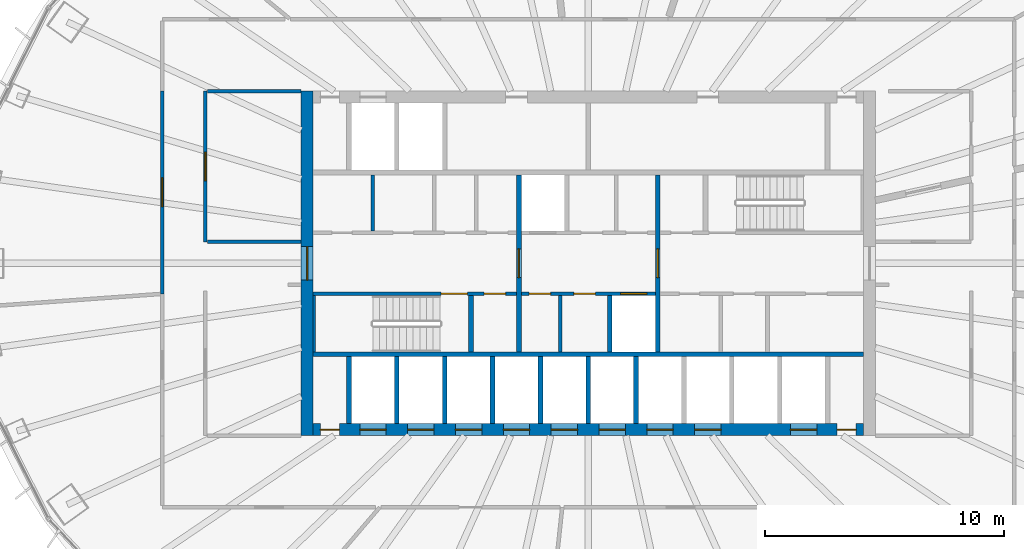
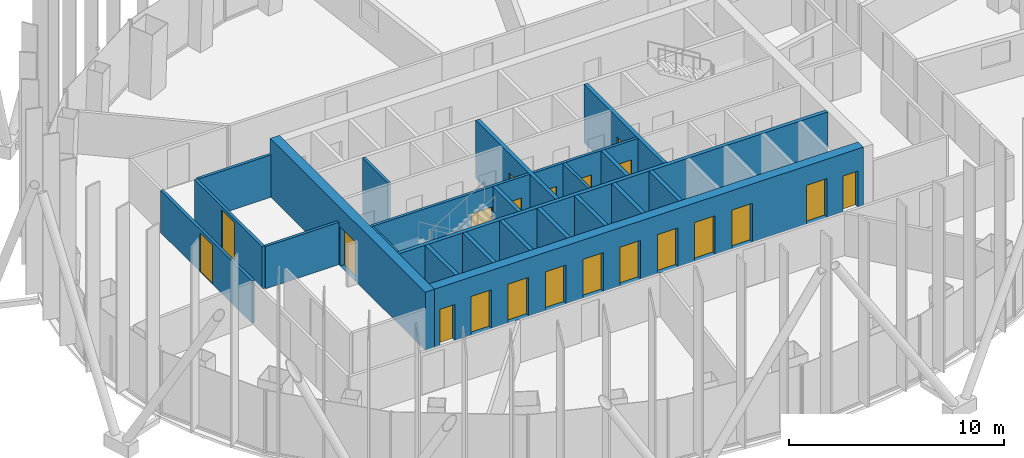
# One storey, part 8 of 19: 23 walls, 21 doors, 21 openings.
"""IFC4 building model written with IfcOpenShell, lengths in metres."""

from ifc_helpers import new_model, si_unit, direction, frame, frame_2d, origin, place, context, subcontext, project, spatial, rectangle, extrude, material, layer, layer_set, type_object, element, fill, save


model = new_model("IFC4")

# Units and contexts
model_context = context("Model", 3, precision=1e-05, world=origin(), true_north=direction((0.0, 1.0)))
body_context = subcontext(model_context, "Body", "Model", "MODEL_VIEW")
ifc_project = project(units=[si_unit("LENGTHUNIT", "METRE"), si_unit("AREAUNIT", "SQUARE_METRE"), si_unit("VOLUMEUNIT", "CUBIC_METRE"), si_unit("PLANEANGLEUNIT", "RADIAN"), si_unit("MASSUNIT", "GRAM", prefix="KILO")], contexts=[model_context])

# Site, building, storey
site_placement = place(None, origin())
site = spatial("IfcSite", under=ifc_project, at=site_placement, CompositionType="ELEMENT")
building_placement = place(site_placement, origin())
building = spatial("IfcBuilding", under=site, at=building_placement, Name="Siaravel Broadcast Tower", CompositionType="ELEMENT")
storey_placement = place(building_placement, frame((0.0, 0.0, 97.10009765625)))
storey = spatial("IfcBuildingStorey", under=building, at=storey_placement, Name="L22", CompositionType="ELEMENT", Elevation=97.10009765625)

# Walls
ifc_material_1 = material(Name="Concrete blockwork", Category="masonry")
ifc_layer_1 = layer(ifc_material_1, 0.14990234375)
ifc_layer_set_1 = layer_set([ifc_layer_1], Name="Concrete blockwork")
wall_type_1 = type_object("IfcWallType", Name="Core partition 150", PredefinedType="PARTITIONING", material=ifc_layer_set_1)
for number, where, z_axis, x_axis, name in (
    (1, (-9.010009765625, 1.35009765625, 0.0), (0.0, 0.0, 1.0), (0.0, 1.0, 0.0), "L22 core partition PNW0"),
    (2, (-1.172607421875, -3.699951171875, 0.0), (0.0, 0.0, 1.0), (0.0, 1.0, 0.0), "L22 core partition PSM0"),
):
    element("IfcWall", number, at=place(storey_placement, frame(where, z_axis=z_axis, x_axis=x_axis)), inside=storey, type_object=wall_type_1, Name=name, PredefinedType="PARTITIONING", context=body_context, shape_type="SweptSolid", body=[
        extrude(rectangle(XDim=2.349853515625, YDim=0.14990234375, at=frame_2d((1.1748046875, 0.0))), origin(), (0.0, 0.0, 1.0), 3.2998046875),
    ])

# Wall, opening, door
ifc_material_2 = material(Name="Concrete C60/75", Category="concrete")
ifc_layer_2 = layer(ifc_material_2, 0.5)
ifc_layer_set_2 = layer_set([ifc_layer_2], Name="Concrete C60/75")
wall_type_2 = type_object("IfcWallType", Name="Core wall 500", PredefinedType="SHEAR", material=ifc_layer_set_2)
wall_1_placement = place(storey_placement, frame((-11.75, -7.199951171875, 0.0), z_axis=(0.0, 0.0, 1.0), x_axis=(0.0, 1.0, 0.0)))
wall_1 = element("IfcWall", 3, at=wall_1_placement, inside=storey, type_object=wall_type_2, Name="L22 core wall OW", PredefinedType="SHEAR", context=body_context, shape_type="SweptSolid", body=[
    extrude(rectangle(XDim=14.39990234375, YDim=0.5, at=frame_2d((7.199951171875, 0.0))), origin(), (0.0, 0.0, 1.0), 3.2998046875),
])
opening_1_placement = place(wall_1_placement, frame((6.5, 0.0, 0.0)))
opening_1 = element("IfcOpeningElement", 4, at=opening_1_placement, cuts=wall_1, Name="Opening L22-DX-W", PredefinedType="OPENING", context=body_context, shape_type="SweptSolid", body=[
    extrude(rectangle(XDim=1.39990234375, YDim=2.199951171875, at=frame_2d((0.699951171875, 1.10009765625))), frame((0.0, 0.260009765625, 0.0), z_axis=(0.0, -1.0, 0.0), x_axis=(1.0, 0.0, 0.0)), (0.0, 0.0, 1.0), 0.52001953125),
])
ifc_material_3 = material(Name="Steel", Category="steel")
door_type_1 = type_object("IfcDoorType", Name="Core exit door 1400", OperationType="DOUBLE_DOOR_SINGLE_SWING", PredefinedType="DOOR", material=ifc_material_3)
door_1_placement = place(opening_1_placement, origin())
door_1 = element("IfcDoor", 5, at=door_1_placement, inside=storey, type_object=door_type_1, Name="L22 door DX-W", OperationType="DOUBLE_DOOR_SINGLE_SWING", OverallHeight=2.199951171875, OverallWidth=1.39990234375, PredefinedType="DOOR", context=body_context, shape_type="SweptSolid", body=[
    extrude(rectangle(XDim=1.39990234375, YDim=2.199951171875, at=frame_2d((0.699951171875, 1.10009765625))), frame((0.0, 0.02490234375, 0.0), z_axis=(0.0, -1.0, 0.0), x_axis=(1.0, 0.0, 0.0)), (0.0, 0.0, 1.0), 0.050048828125),
])
fill(opening_1, door_1)

# Wall, openings, doors
wall_2_placement = place(storey_placement, frame((-11.5, -6.949951171875, 0.0), z_axis=(0.0, 0.0, 1.0), x_axis=(1.0, 0.0, 0.0)))
wall_2 = element("IfcWall", 6, at=wall_2_placement, inside=storey, type_object=wall_type_2, Name="L22 core wall OS", PredefinedType="SHEAR", context=body_context, shape_type="SweptSolid", body=[
    extrude(rectangle(XDim=23.0, YDim=0.5, at=frame_2d((11.5, 0.0))), origin(), (0.0, 0.0, 1.0), 3.2998046875),
])
opening_2_placement = place(wall_2_placement, frame((1.949951171875, 0.0, 0.0)))
opening_2 = element("IfcOpeningElement", 7, at=opening_2_placement, cuts=wall_2, Name="Opening LD-LP1-L22", PredefinedType="OPENING", context=body_context, shape_type="SweptSolid", body=[
    extrude(rectangle(XDim=1.10009765625, YDim=2.199951171875, at=frame_2d((0.550048828125, 1.10009765625))), frame((0.0, 0.260009765625, 0.0), z_axis=(0.0, -1.0, 0.0), x_axis=(1.0, 0.0, 0.0)), (0.0, 0.0, 1.0), 0.52001953125),
])
opening_3_placement = place(wall_2_placement, frame((3.949951171875, 0.0, 0.0)))
opening_3 = element("IfcOpeningElement", 8, at=opening_3_placement, cuts=wall_2, Name="Opening LD-LP2-L22", PredefinedType="OPENING", context=body_context, shape_type="SweptSolid", body=[
    extrude(rectangle(XDim=1.10009765625, YDim=2.199951171875, at=frame_2d((0.550048828125, 1.10009765625))), frame((0.0, 0.260009765625, 0.0), z_axis=(0.0, -1.0, 0.0), x_axis=(1.0, 0.0, 0.0)), (0.0, 0.0, 1.0), 0.52001953125),
])
opening_4_placement = place(wall_2_placement, frame((5.949951171875, 0.0, 0.0)))
opening_4 = element("IfcOpeningElement", 9, at=opening_4_placement, cuts=wall_2, Name="Opening LD-LP3-L22", PredefinedType="OPENING", context=body_context, shape_type="SweptSolid", body=[
    extrude(rectangle(XDim=1.10009765625, YDim=2.199951171875, at=frame_2d((0.550048828125, 1.10009765625))), frame((0.0, 0.260009765625, 0.0), z_axis=(0.0, -1.0, 0.0), x_axis=(1.0, 0.0, 0.0)), (0.0, 0.0, 1.0), 0.52001953125),
])
opening_5_placement = place(wall_2_placement, frame((7.949951171875, 0.0, 0.0)))
opening_5 = element("IfcOpeningElement", 10, at=opening_5_placement, cuts=wall_2, Name="Opening LD-LP4-L22", PredefinedType="OPENING", context=body_context, shape_type="SweptSolid", body=[
    extrude(rectangle(XDim=1.10009765625, YDim=2.199951171875, at=frame_2d((0.550048828125, 1.10009765625))), frame((0.0, 0.260009765625, 0.0), z_axis=(0.0, -1.0, 0.0), x_axis=(1.0, 0.0, 0.0)), (0.0, 0.0, 1.0), 0.52001953125),
])
opening_6_placement = place(wall_2_placement, frame((9.949951171875, 0.0, 0.0)))
opening_6 = element("IfcOpeningElement", 11, at=opening_6_placement, cuts=wall_2, Name="Opening LD-LP5-L22", PredefinedType="OPENING", context=body_context, shape_type="SweptSolid", body=[
    extrude(rectangle(XDim=1.10009765625, YDim=2.199951171875, at=frame_2d((0.550048828125, 1.10009765625))), frame((0.0, 0.260009765625, 0.0), z_axis=(0.0, -1.0, 0.0), x_axis=(1.0, 0.0, 0.0)), (0.0, 0.0, 1.0), 0.52001953125),
])
opening_7_placement = place(wall_2_placement, frame((11.949951171875, 0.0, 0.0)))
opening_7 = element("IfcOpeningElement", 12, at=opening_7_placement, cuts=wall_2, Name="Opening LD-LP6-L22", PredefinedType="OPENING", context=body_context, shape_type="SweptSolid", body=[
    extrude(rectangle(XDim=1.10009765625, YDim=2.199951171875, at=frame_2d((0.550048828125, 1.10009765625))), frame((0.0, 0.260009765625, 0.0), z_axis=(0.0, -1.0, 0.0), x_axis=(1.0, 0.0, 0.0)), (0.0, 0.0, 1.0), 0.52001953125),
])
opening_8_placement = place(wall_2_placement, frame((13.949951171875, 0.0, 0.0)))
opening_8 = element("IfcOpeningElement", 13, at=opening_8_placement, cuts=wall_2, Name="Opening LD-LP7-L22", PredefinedType="OPENING", context=body_context, shape_type="SweptSolid", body=[
    extrude(rectangle(XDim=1.10009765625, YDim=2.199951171875, at=frame_2d((0.550048828125, 1.10009765625))), frame((0.0, 0.260009765625, 0.0), z_axis=(0.0, -1.0, 0.0), x_axis=(1.0, 0.0, 0.0)), (0.0, 0.0, 1.0), 0.52001953125),
])
opening_9_placement = place(wall_2_placement, frame((15.949951171875, 0.0, 0.0)))
opening_9 = element("IfcOpeningElement", 14, at=opening_9_placement, cuts=wall_2, Name="Opening LD-LP8-L22", PredefinedType="OPENING", context=body_context, shape_type="SweptSolid", body=[
    extrude(rectangle(XDim=1.10009765625, YDim=2.199951171875, at=frame_2d((0.550048828125, 1.10009765625))), frame((0.0, 0.260009765625, 0.0), z_axis=(0.0, -1.0, 0.0), x_axis=(1.0, 0.0, 0.0)), (0.0, 0.0, 1.0), 0.52001953125),
])
opening_10_placement = place(wall_2_placement, frame((19.949951171875, 0.0, 0.0)))
opening_10 = element("IfcOpeningElement", 15, at=opening_10_placement, cuts=wall_2, Name="Opening LD-SV1-L22", PredefinedType="OPENING", context=body_context, shape_type="SweptSolid", body=[
    extrude(rectangle(XDim=1.10009765625, YDim=2.199951171875, at=frame_2d((0.550048828125, 1.10009765625))), frame((0.0, 0.260009765625, 0.0), z_axis=(0.0, -1.0, 0.0), x_axis=(1.0, 0.0, 0.0)), (0.0, 0.0, 1.0), 0.52001953125),
])
opening_11_placement = place(wall_2_placement, frame((0.300048828125, 0.0, 0.0)))
opening_11 = element("IfcOpeningElement", 16, at=opening_11_placement, cuts=wall_2, Name="Opening L22-DRSW", PredefinedType="OPENING", context=body_context, shape_type="SweptSolid", body=[
    extrude(rectangle(XDim=0.800048828125, YDim=2.050048828125, at=frame_2d((0.39990234375, 1.02490234375))), frame((0.0, 0.260009765625, 0.0), z_axis=(0.0, -1.0, 0.0), x_axis=(1.0, 0.0, 0.0)), (0.0, 0.0, 1.0), 0.52001953125),
])
opening_12_placement = place(wall_2_placement, frame((21.89990234375, 0.0, 0.0)))
opening_12 = element("IfcOpeningElement", 17, at=opening_12_placement, cuts=wall_2, Name="Opening L22-DRSE", PredefinedType="OPENING", context=body_context, shape_type="SweptSolid", body=[
    extrude(rectangle(XDim=0.800048828125, YDim=2.050048828125, at=frame_2d((0.39990234375, 1.02490234375))), frame((0.0, 0.260009765625, 0.0), z_axis=(0.0, -1.0, 0.0), x_axis=(1.0, 0.0, 0.0)), (0.0, 0.0, 1.0), 0.52001953125),
])
ifc_material_4 = material(Name="Stainless steel 316L", Category="steel")
door_type_2 = type_object("IfcDoorType", Name="Lift landing door 1100", OperationType="DOUBLE_DOOR_SLIDING", PredefinedType="DOOR", material=ifc_material_4)
door_2_placement = place(opening_2_placement, origin())
door_2 = element("IfcDoor", 18, at=door_2_placement, inside=storey, type_object=door_type_2, Name="Landing door LP1 L22", OperationType="DOUBLE_DOOR_SLIDING", OverallHeight=2.199951171875, OverallWidth=1.10009765625, PredefinedType="DOOR", context=body_context, shape_type="SweptSolid", body=[
    extrude(rectangle(XDim=1.10009765625, YDim=2.199951171875, at=frame_2d((0.550048828125, 1.10009765625))), frame((0.0, 0.02490234375, 0.0), z_axis=(0.0, -1.0, 0.0), x_axis=(1.0, 0.0, 0.0)), (0.0, 0.0, 1.0), 0.050048828125),
])
fill(opening_2, door_2)
door_3_placement = place(opening_3_placement, origin())
door_3 = element("IfcDoor", 19, at=door_3_placement, inside=storey, type_object=door_type_2, Name="Landing door LP2 L22", OperationType="DOUBLE_DOOR_SLIDING", OverallHeight=2.199951171875, OverallWidth=1.10009765625, PredefinedType="DOOR", context=body_context, shape_type="SweptSolid", body=[
    extrude(rectangle(XDim=1.10009765625, YDim=2.199951171875, at=frame_2d((0.550048828125, 1.10009765625))), frame((0.0, 0.02490234375, 0.0), z_axis=(0.0, -1.0, 0.0), x_axis=(1.0, 0.0, 0.0)), (0.0, 0.0, 1.0), 0.050048828125),
])
fill(opening_3, door_3)
door_4_placement = place(opening_4_placement, origin())
door_4 = element("IfcDoor", 20, at=door_4_placement, inside=storey, type_object=door_type_2, Name="Landing door LP3 L22", OperationType="DOUBLE_DOOR_SLIDING", OverallHeight=2.199951171875, OverallWidth=1.10009765625, PredefinedType="DOOR", context=body_context, shape_type="SweptSolid", body=[
    extrude(rectangle(XDim=1.10009765625, YDim=2.199951171875, at=frame_2d((0.550048828125, 1.10009765625))), frame((0.0, 0.02490234375, 0.0), z_axis=(0.0, -1.0, 0.0), x_axis=(1.0, 0.0, 0.0)), (0.0, 0.0, 1.0), 0.050048828125),
])
fill(opening_4, door_4)
door_5_placement = place(opening_5_placement, origin())
door_5 = element("IfcDoor", 21, at=door_5_placement, inside=storey, type_object=door_type_2, Name="Landing door LP4 L22", OperationType="DOUBLE_DOOR_SLIDING", OverallHeight=2.199951171875, OverallWidth=1.10009765625, PredefinedType="DOOR", context=body_context, shape_type="SweptSolid", body=[
    extrude(rectangle(XDim=1.10009765625, YDim=2.199951171875, at=frame_2d((0.550048828125, 1.10009765625))), frame((0.0, 0.02490234375, 0.0), z_axis=(0.0, -1.0, 0.0), x_axis=(1.0, 0.0, 0.0)), (0.0, 0.0, 1.0), 0.050048828125),
])
fill(opening_5, door_5)
door_6_placement = place(opening_6_placement, origin())
door_6 = element("IfcDoor", 22, at=door_6_placement, inside=storey, type_object=door_type_2, Name="Landing door LP5 L22", OperationType="DOUBLE_DOOR_SLIDING", OverallHeight=2.199951171875, OverallWidth=1.10009765625, PredefinedType="DOOR", context=body_context, shape_type="SweptSolid", body=[
    extrude(rectangle(XDim=1.10009765625, YDim=2.199951171875, at=frame_2d((0.550048828125, 1.10009765625))), frame((0.0, 0.02490234375, 0.0), z_axis=(0.0, -1.0, 0.0), x_axis=(1.0, 0.0, 0.0)), (0.0, 0.0, 1.0), 0.050048828125),
])
fill(opening_6, door_6)
door_7_placement = place(opening_7_placement, origin())
door_7 = element("IfcDoor", 23, at=door_7_placement, inside=storey, type_object=door_type_2, Name="Landing door LP6 L22", OperationType="DOUBLE_DOOR_SLIDING", OverallHeight=2.199951171875, OverallWidth=1.10009765625, PredefinedType="DOOR", context=body_context, shape_type="SweptSolid", body=[
    extrude(rectangle(XDim=1.10009765625, YDim=2.199951171875, at=frame_2d((0.550048828125, 1.10009765625))), frame((0.0, 0.02490234375, 0.0), z_axis=(0.0, -1.0, 0.0), x_axis=(1.0, 0.0, 0.0)), (0.0, 0.0, 1.0), 0.050048828125),
])
fill(opening_7, door_7)
door_8_placement = place(opening_8_placement, origin())
door_8 = element("IfcDoor", 24, at=door_8_placement, inside=storey, type_object=door_type_2, Name="Landing door LP7 L22", OperationType="DOUBLE_DOOR_SLIDING", OverallHeight=2.199951171875, OverallWidth=1.10009765625, PredefinedType="DOOR", context=body_context, shape_type="SweptSolid", body=[
    extrude(rectangle(XDim=1.10009765625, YDim=2.199951171875, at=frame_2d((0.550048828125, 1.10009765625))), frame((0.0, 0.02490234375, 0.0), z_axis=(0.0, -1.0, 0.0), x_axis=(1.0, 0.0, 0.0)), (0.0, 0.0, 1.0), 0.050048828125),
])
fill(opening_8, door_8)
door_9_placement = place(opening_9_placement, origin())
door_9 = element("IfcDoor", 25, at=door_9_placement, inside=storey, type_object=door_type_2, Name="Landing door LP8 L22", OperationType="DOUBLE_DOOR_SLIDING", OverallHeight=2.199951171875, OverallWidth=1.10009765625, PredefinedType="DOOR", context=body_context, shape_type="SweptSolid", body=[
    extrude(rectangle(XDim=1.10009765625, YDim=2.199951171875, at=frame_2d((0.550048828125, 1.10009765625))), frame((0.0, 0.02490234375, 0.0), z_axis=(0.0, -1.0, 0.0), x_axis=(1.0, 0.0, 0.0)), (0.0, 0.0, 1.0), 0.050048828125),
])
fill(opening_9, door_9)
door_type_3 = type_object("IfcDoorType", Name="Riser door 800", OperationType="SINGLE_SWING_LEFT", PredefinedType="DOOR", material=ifc_material_3)
door_10_placement = place(opening_11_placement, origin())
door_10 = element("IfcDoor", 26, at=door_10_placement, inside=storey, type_object=door_type_3, Name="L22 door DRSW", OperationType="SINGLE_SWING_LEFT", OverallHeight=2.050048828125, OverallWidth=0.800048828125, PredefinedType="DOOR", context=body_context, shape_type="SweptSolid", body=[
    extrude(rectangle(XDim=0.800048828125, YDim=2.050048828125, at=frame_2d((0.39990234375, 1.02490234375))), frame((0.0, 0.02490234375, 0.0), z_axis=(0.0, -1.0, 0.0), x_axis=(1.0, 0.0, 0.0)), (0.0, 0.0, 1.0), 0.050048828125),
])
fill(opening_11, door_10)
door_11_placement = place(opening_12_placement, origin())
door_11 = element("IfcDoor", 27, at=door_11_placement, inside=storey, type_object=door_type_3, Name="L22 door DRSE", OperationType="SINGLE_SWING_LEFT", OverallHeight=2.050048828125, OverallWidth=0.800048828125, PredefinedType="DOOR", context=body_context, shape_type="SweptSolid", body=[
    extrude(rectangle(XDim=0.800048828125, YDim=2.050048828125, at=frame_2d((0.39990234375, 1.02490234375))), frame((0.0, 0.02490234375, 0.0), z_axis=(0.0, -1.0, 0.0), x_axis=(1.0, 0.0, 0.0)), (0.0, 0.0, 1.0), 0.050048828125),
])
fill(opening_12, door_11)
door_type_4 = type_object("IfcDoorType", Name="Service lift landing door 1100", OperationType="DOUBLE_DOOR_SLIDING", PredefinedType="DOOR", material=ifc_material_4)
door_12_placement = place(opening_10_placement, origin())
door_12 = element("IfcDoor", 28, at=door_12_placement, inside=storey, type_object=door_type_4, Name="Landing door SV1 L22", OperationType="DOUBLE_DOOR_SLIDING", OverallHeight=2.199951171875, OverallWidth=1.10009765625, PredefinedType="DOOR", context=body_context, shape_type="SweptSolid", body=[
    extrude(rectangle(XDim=1.10009765625, YDim=2.199951171875, at=frame_2d((0.550048828125, 1.10009765625))), frame((0.0, 0.02490234375, 0.0), z_axis=(0.0, -1.0, 0.0), x_axis=(1.0, 0.0, 0.0)), (0.0, 0.0, 1.0), 0.050048828125),
])
fill(opening_10, door_12)

# Wall, opening, door
ifc_material_5 = material(Name="Gypsum board partition", Category="gypsum")
ifc_layer_3 = layer(ifc_material_5, 0.14990234375)
ifc_layer_set_3 = layer_set([ifc_layer_3], Name="Gypsum board partition")
wall_type_3 = type_object("IfcWallType", Name="Corridor wall 150", PredefinedType="PARTITIONING", material=ifc_layer_set_3)
wall_3_placement = place(storey_placement, frame((-17.800048828125, 7.2119140625, 0.0), z_axis=(0.0, 0.0, 1.0), x_axis=(0.0, -1.0, 0.0)))
wall_3 = element("IfcWall", 29, at=wall_3_placement, inside=storey, type_object=wall_type_3, Name="L22 partition 11", PredefinedType="PARTITIONING", context=body_context, shape_type="SweptSolid", body=[
    extrude(rectangle(XDim=8.487548828125, YDim=0.14990234375, at=frame_2d((4.24365234375, 0.0))), origin(), (0.0, 0.0, 1.0), 2.39990234375),
])
opening_13_placement = place(wall_3_placement, frame((3.643798828125, 0.0, 0.0)))
opening_13 = element("IfcOpeningElement", 30, at=opening_13_placement, cuts=wall_3, Name="Opening L22-002", PredefinedType="OPENING", context=body_context, shape_type="SweptSolid", body=[
    extrude(rectangle(XDim=1.199951171875, YDim=2.199951171875, at=frame_2d((0.60009765625, 1.10009765625))), frame((0.0, 0.0849609375, 0.0), z_axis=(0.0, -1.0, 0.0), x_axis=(1.0, 0.0, 0.0)), (0.0, 0.0, 1.0), 0.169921875),
])
ifc_material_6 = material(Name="Timber veneer", Category="wood")
door_type_5 = type_object("IfcDoorType", Name="Office double door 1200", OperationType="DOUBLE_DOOR_SINGLE_SWING", PredefinedType="DOOR", material=ifc_material_6)
door_13_placement = place(opening_13_placement, origin())
door_13 = element("IfcDoor", 31, at=door_13_placement, inside=storey, type_object=door_type_5, Name="L22 door to Open plan production office", OperationType="DOUBLE_DOOR_SINGLE_SWING", OverallHeight=2.199951171875, OverallWidth=1.199951171875, PredefinedType="DOOR", context=body_context, shape_type="SweptSolid", body=[
    extrude(rectangle(XDim=1.199951171875, YDim=2.199951171875, at=frame_2d((0.60009765625, 1.10009765625))), frame((0.0, 0.02490234375, 0.0), z_axis=(0.0, -1.0, 0.0), x_axis=(1.0, 0.0, 0.0)), (0.0, 0.0, 1.0), 0.050048828125),
])
fill(opening_13, door_13)

wall_4_placement = place(storey_placement, frame((-16.0, 0.89990234375, 0.0), z_axis=(0.0, 0.0, 1.0), x_axis=(0.0, 1.0, 0.0)))
wall_4 = element("IfcWall", 32, at=wall_4_placement, inside=storey, type_object=wall_type_3, Name="L22 partition 17", PredefinedType="PARTITIONING", context=body_context, shape_type="SweptSolid", body=[
    extrude(rectangle(XDim=6.300048828125, YDim=0.14990234375, at=frame_2d((3.14990234375, 0.0))), origin(), (0.0, 0.0, 1.0), 2.39990234375),
])
opening_14_placement = place(wall_4_placement, frame((2.550048828125, 0.0, 0.0)))
opening_14 = element("IfcOpeningElement", 33, at=opening_14_placement, cuts=wall_4, Name="Opening L22-004", PredefinedType="OPENING", context=body_context, shape_type="SweptSolid", body=[
    extrude(rectangle(XDim=1.199951171875, YDim=2.199951171875, at=frame_2d((0.60009765625, 1.10009765625))), frame((0.0, 0.0849609375, 0.0), z_axis=(0.0, -1.0, 0.0), x_axis=(1.0, 0.0, 0.0)), (0.0, 0.0, 1.0), 0.169921875),
])
door_14_placement = place(opening_14_placement, origin())
door_14 = element("IfcDoor", 34, at=door_14_placement, inside=storey, type_object=door_type_5, Name="L22 door to Open plan production office", OperationType="DOUBLE_DOOR_SINGLE_SWING", OverallHeight=2.199951171875, OverallWidth=1.199951171875, PredefinedType="DOOR", context=body_context, shape_type="SweptSolid", body=[
    extrude(rectangle(XDim=1.199951171875, YDim=2.199951171875, at=frame_2d((0.60009765625, 1.10009765625))), frame((0.0, 0.02490234375, 0.0), z_axis=(0.0, -1.0, 0.0), x_axis=(1.0, 0.0, 0.0)), (0.0, 0.0, 1.0), 0.050048828125),
])
fill(opening_14, door_14)

# Walls
for number, where, z_axis, x_axis, name in (
    (35, (-15.923095703125, 7.199951171875, 0.0), (0.0, 0.0, 1.0), (1.0, 0.0, 0.0), "L22 partition 26"),
    (36, (-12.0, 0.89990234375, 0.0), (0.0, 0.0, 1.0), (-1.0, 0.0, 0.0), "L22 partition 28"),
):
    element("IfcWall", number, at=place(storey_placement, frame(where, z_axis=z_axis, x_axis=x_axis)), inside=storey, type_object=wall_type_3, Name=name, PredefinedType="PARTITIONING", context=body_context, shape_type="SweptSolid", body=[
        extrude(rectangle(XDim=3.923095703125, YDim=0.14990234375, at=frame_2d((1.96142578125, 0.0))), origin(), (0.0, 0.0, 1.0), 2.39990234375),
    ])
ifc_layer_4 = layer(ifc_material_2, 0.10009765625)
ifc_layer_set_4 = layer_set([ifc_layer_4], Name="Concrete C60/75")
wall_type_4 = type_object("IfcWallType", Name="Shaft wall 100", PredefinedType="SHEAR", material=ifc_layer_set_4)
wall_5_placement = place(storey_placement, frame((-11.449951171875, -3.699951171875, 0.0), z_axis=(0.0, 0.0, 1.0), x_axis=(0.0, 1.0, 0.0)))
element("IfcWall", 37, at=wall_5_placement, inside=storey, type_object=wall_type_4, Name="L22 core wall ST1W", PredefinedType="SHEAR", context=body_context, shape_type="SweptSolid", body=[
    extrude(rectangle(XDim=2.349853515625, YDim=0.10009765625, at=frame_2d((1.1748046875, 0.0))), origin(), (0.0, 0.0, 1.0), 3.2998046875),
])

# Wall, openings, doors
ifc_layer_5 = layer(ifc_material_2, 0.14990234375)
ifc_layer_set_5 = layer_set([ifc_layer_5], Name="Concrete C60/75")
wall_type_5 = type_object("IfcWallType", Name="Shaft wall 150", PredefinedType="SHEAR", material=ifc_layer_set_5)
wall_6_placement = place(storey_placement, frame((-11.5, -1.27490234375, 0.0), z_axis=(0.0, 0.0, 1.0), x_axis=(1.0, 0.0, 0.0)))
wall_6 = element("IfcWall", 38, at=wall_6_placement, inside=storey, type_object=wall_type_5, Name="L22 core wall CSW", PredefinedType="SHEAR", context=body_context, shape_type="SweptSolid", body=[
    extrude(rectangle(XDim=8.5, YDim=0.14990234375, at=frame_2d((4.25, 0.0))), origin(), (0.0, 0.0, 1.0), 3.2998046875),
])
opening_15_placement = place(wall_6_placement, frame((5.35009765625, 0.0, 0.0)))
opening_15 = element("IfcOpeningElement", 39, at=opening_15_placement, cuts=wall_6, Name="Opening L22-DS-1", PredefinedType="OPENING", context=body_context, shape_type="SweptSolid", body=[
    extrude(rectangle(XDim=1.10009765625, YDim=2.14990234375, at=frame_2d((0.550048828125, 1.074951171875))), frame((0.0, 0.0849609375, 0.0), z_axis=(0.0, -1.0, 0.0), x_axis=(1.0, 0.0, 0.0)), (0.0, 0.0, 1.0), 0.169921875),
])
opening_16_placement = place(wall_6_placement, frame((7.14990234375, 0.0, 0.0)))
opening_16 = element("IfcOpeningElement", 40, at=opening_16_placement, cuts=wall_6, Name="Opening L22-DSW0", PredefinedType="OPENING", context=body_context, shape_type="SweptSolid", body=[
    extrude(rectangle(XDim=0.89990234375, YDim=2.10009765625, at=frame_2d((0.449951171875, 1.050048828125))), frame((0.0, 0.0849609375, 0.0), z_axis=(0.0, -1.0, 0.0), x_axis=(1.0, 0.0, 0.0)), (0.0, 0.0, 1.0), 0.169921875),
])
door_type_6 = type_object("IfcDoorType", Name="Core room door 900", OperationType="SINGLE_SWING_LEFT", PredefinedType="DOOR", material=ifc_material_6)
door_15_placement = place(opening_16_placement, origin())
door_15 = element("IfcDoor", 41, at=door_15_placement, inside=storey, type_object=door_type_6, Name="L22 door DSW0", OperationType="SINGLE_SWING_LEFT", OverallHeight=2.10009765625, OverallWidth=0.89990234375, PredefinedType="DOOR", context=body_context, shape_type="SweptSolid", body=[
    extrude(rectangle(XDim=0.89990234375, YDim=2.10009765625, at=frame_2d((0.449951171875, 1.050048828125))), frame((0.0, 0.02490234375, 0.0), z_axis=(0.0, -1.0, 0.0), x_axis=(1.0, 0.0, 0.0)), (0.0, 0.0, 1.0), 0.050048828125),
])
fill(opening_16, door_15)
door_type_7 = type_object("IfcDoorType", Name="Stair door 1100", OperationType="SINGLE_SWING_LEFT", PredefinedType="DOOR", material=ifc_material_3)
door_16_placement = place(opening_15_placement, origin())
door_16 = element("IfcDoor", 42, at=door_16_placement, inside=storey, type_object=door_type_7, Name="L22 door DS-1", OperationType="SINGLE_SWING_LEFT", OverallHeight=2.14990234375, OverallWidth=1.10009765625, PredefinedType="DOOR", context=body_context, shape_type="SweptSolid", body=[
    extrude(rectangle(XDim=1.10009765625, YDim=2.14990234375, at=frame_2d((0.550048828125, 1.074951171875))), frame((0.0, 0.02490234375, 0.0), z_axis=(0.0, -1.0, 0.0), x_axis=(1.0, 0.0, 0.0)), (0.0, 0.0, 1.0), 0.050048828125),
])
fill(opening_15, door_16)

wall_7_placement = place(storey_placement, frame((-2.800048828125, -1.27490234375, 0.0), z_axis=(0.0, 0.0, 1.0), x_axis=(1.0, 0.0, 0.0)))
wall_7 = element("IfcWall", 43, at=wall_7_placement, inside=storey, type_object=wall_type_5, Name="L22 core wall CSM", PredefinedType="SHEAR", context=body_context, shape_type="SweptSolid", body=[
    extrude(rectangle(XDim=5.60009765625, YDim=0.14990234375, at=frame_2d((2.800048828125, 0.0))), origin(), (0.0, 0.0, 1.0), 3.2998046875),
])
opening_17_placement = place(wall_7_placement, frame((4.14990234375, 0.0, 0.0)))
opening_17 = element("IfcOpeningElement", 44, at=opening_17_placement, cuts=wall_7, Name="Opening LD-FL2-L22", PredefinedType="OPENING", context=body_context, shape_type="SweptSolid", body=[
    extrude(rectangle(XDim=1.10009765625, YDim=2.199951171875, at=frame_2d((0.550048828125, 1.10009765625))), frame((0.0, 0.0849609375, 0.0), z_axis=(0.0, -1.0, 0.0), x_axis=(1.0, 0.0, 0.0)), (0.0, 0.0, 1.0), 0.169921875),
])
opening_18_placement = place(wall_7_placement, frame((0.326416015625, 0.0, 0.0)))
opening_18 = element("IfcOpeningElement", 45, at=opening_18_placement, cuts=wall_7, Name="Opening L22-DSM0", PredefinedType="OPENING", context=body_context, shape_type="SweptSolid", body=[
    extrude(rectangle(XDim=0.89990234375, YDim=2.10009765625, at=frame_2d((0.449951171875, 1.050048828125))), frame((0.0, 0.0849609375, 0.0), z_axis=(0.0, -1.0, 0.0), x_axis=(1.0, 0.0, 0.0)), (0.0, 0.0, 1.0), 0.169921875),
])
opening_19_placement = place(wall_7_placement, frame((2.201416015625, 0.0, 0.0)))
opening_19 = element("IfcOpeningElement", 46, at=opening_19_placement, cuts=wall_7, Name="Opening L22-DSM1", PredefinedType="OPENING", context=body_context, shape_type="SweptSolid", body=[
    extrude(rectangle(XDim=0.89990234375, YDim=2.10009765625, at=frame_2d((0.449951171875, 1.050048828125))), frame((0.0, 0.0849609375, 0.0), z_axis=(0.0, -1.0, 0.0), x_axis=(1.0, 0.0, 0.0)), (0.0, 0.0, 1.0), 0.169921875),
])
door_17_placement = place(opening_18_placement, origin())
door_17 = element("IfcDoor", 47, at=door_17_placement, inside=storey, type_object=door_type_6, Name="L22 door DSM0", OperationType="SINGLE_SWING_LEFT", OverallHeight=2.10009765625, OverallWidth=0.89990234375, PredefinedType="DOOR", context=body_context, shape_type="SweptSolid", body=[
    extrude(rectangle(XDim=0.89990234375, YDim=2.10009765625, at=frame_2d((0.449951171875, 1.050048828125))), frame((0.0, 0.02490234375, 0.0), z_axis=(0.0, -1.0, 0.0), x_axis=(1.0, 0.0, 0.0)), (0.0, 0.0, 1.0), 0.050048828125),
])
fill(opening_18, door_17)
door_18_placement = place(opening_19_placement, origin())
door_18 = element("IfcDoor", 48, at=door_18_placement, inside=storey, type_object=door_type_6, Name="L22 door DSM1", OperationType="SINGLE_SWING_LEFT", OverallHeight=2.10009765625, OverallWidth=0.89990234375, PredefinedType="DOOR", context=body_context, shape_type="SweptSolid", body=[
    extrude(rectangle(XDim=0.89990234375, YDim=2.10009765625, at=frame_2d((0.449951171875, 1.050048828125))), frame((0.0, 0.02490234375, 0.0), z_axis=(0.0, -1.0, 0.0), x_axis=(1.0, 0.0, 0.0)), (0.0, 0.0, 1.0), 0.050048828125),
])
fill(opening_19, door_18)
door_type_8 = type_object("IfcDoorType", Name="Firefighting lift landing door 1100", OperationType="DOUBLE_DOOR_SLIDING", PredefinedType="DOOR", material=ifc_material_4)
door_19_placement = place(opening_17_placement, origin())
door_19 = element("IfcDoor", 49, at=door_19_placement, inside=storey, type_object=door_type_8, Name="Landing door FL2 L22", OperationType="DOUBLE_DOOR_SLIDING", OverallHeight=2.199951171875, OverallWidth=1.10009765625, PredefinedType="DOOR", context=body_context, shape_type="SweptSolid", body=[
    extrude(rectangle(XDim=1.10009765625, YDim=2.199951171875, at=frame_2d((0.550048828125, 1.10009765625))), frame((0.0, 0.02490234375, 0.0), z_axis=(0.0, -1.0, 0.0), x_axis=(1.0, 0.0, 0.0)), (0.0, 0.0, 1.0), 0.050048828125),
])
fill(opening_17, door_19)

# Walls
ifc_layer_6 = layer(ifc_material_2, 0.199951171875)
ifc_layer_set_6 = layer_set([ifc_layer_6], Name="Concrete C60/75")
wall_type_6 = type_object("IfcWallType", Name="Shaft wall 200", PredefinedType="SHEAR", material=ifc_layer_set_6)
wall_8_placement = place(storey_placement, frame((-11.5, -3.800048828125, 0.0), z_axis=(0.0, 0.0, 1.0), x_axis=(1.0, 0.0, 0.0)))
element("IfcWall", 50, at=wall_8_placement, inside=storey, type_object=wall_type_6, Name="L22 core wall BS", PredefinedType="SHEAR", context=body_context, shape_type="SweptSolid", body=[
    extrude(rectangle(XDim=23.0, YDim=0.199951171875, at=frame_2d((11.5, 0.0))), origin(), (0.0, 0.0, 1.0), 3.2998046875),
])
for number, where, z_axis, x_axis, name in (
    (51, (-10.0, -6.699951171875, 0.0), (0.0, 0.0, 1.0), (0.0, 1.0, 0.0), "L22 core wall SWS0"),
    (52, (-8.0, -6.699951171875, 0.0), (0.0, 0.0, 1.0), (0.0, 1.0, 0.0), "L22 core wall SWS1"),
    (53, (-6.0, -6.699951171875, 0.0), (0.0, 0.0, 1.0), (0.0, 1.0, 0.0), "L22 core wall SWS2"),
    (54, (-4.0, -6.699951171875, 0.0), (0.0, 0.0, 1.0), (0.0, 1.0, 0.0), "L22 core wall SWS3"),
    (55, (-2.0, -6.699951171875, 0.0), (0.0, 0.0, 1.0), (0.0, 1.0, 0.0), "L22 core wall SWS4"),
    (56, (0.0, -6.699951171875, 0.0), (0.0, 0.0, 1.0), (0.0, 1.0, 0.0), "L22 core wall SWS5"),
    (57, (2.0, -6.699951171875, 0.0), (0.0, 0.0, 1.0), (0.0, 1.0, 0.0), "L22 core wall SWS6"),
):
    element("IfcWall", number, at=place(storey_placement, frame(where, z_axis=z_axis, x_axis=x_axis)), inside=storey, type_object=wall_type_6, Name=name, PredefinedType="SHEAR", context=body_context, shape_type="SweptSolid", body=[
        extrude(rectangle(XDim=2.800048828125, YDim=0.199951171875, at=frame_2d((1.39990234375, 0.0))), origin(), (0.0, 0.0, 1.0), 3.2998046875),
    ])

# Wall, opening, door
wall_9_placement = place(storey_placement, frame((-2.89990234375, -3.699951171875, 0.0), z_axis=(0.0, 0.0, 1.0), x_axis=(0.0, 1.0, 0.0)))
wall_9 = element("IfcWall", 58, at=wall_9_placement, inside=storey, type_object=wall_type_6, Name="L22 core wall LW", PredefinedType="SHEAR", context=body_context, shape_type="SweptSolid", body=[
    extrude(rectangle(XDim=7.39990234375, YDim=0.199951171875, at=frame_2d((3.699951171875, 0.0))), origin(), (0.0, 0.0, 1.0), 3.2998046875),
])
opening_20_placement = place(wall_9_placement, frame((3.10009765625, 0.0, 0.0)))
opening_20 = element("IfcOpeningElement", 59, at=opening_20_placement, cuts=wall_9, Name="Opening L22-DL-W", PredefinedType="OPENING", context=body_context, shape_type="SweptSolid", body=[
    extrude(rectangle(XDim=1.199951171875, YDim=2.199951171875, at=frame_2d((0.60009765625, 1.10009765625))), frame((0.0, 0.10986328125, 0.0), z_axis=(0.0, -1.0, 0.0), x_axis=(1.0, 0.0, 0.0)), (0.0, 0.0, 1.0), 0.219970703125),
])
door_type_9 = type_object("IfcDoorType", Name="Firefighting lobby door 1200", OperationType="SINGLE_SWING_LEFT", PredefinedType="DOOR", material=ifc_material_3)
door_20_placement = place(opening_20_placement, origin())
door_20 = element("IfcDoor", 60, at=door_20_placement, inside=storey, type_object=door_type_9, Name="L22 door DL-W", OperationType="SINGLE_SWING_LEFT", OverallHeight=2.199951171875, OverallWidth=1.199951171875, PredefinedType="DOOR", context=body_context, shape_type="SweptSolid", body=[
    extrude(rectangle(XDim=1.199951171875, YDim=2.199951171875, at=frame_2d((0.60009765625, 1.10009765625))), frame((0.0, 0.02490234375, 0.0), z_axis=(0.0, -1.0, 0.0), x_axis=(1.0, 0.0, 0.0)), (0.0, 0.0, 1.0), 0.050048828125),
])
fill(opening_20, door_20)

wall_10_placement = place(storey_placement, frame((2.89990234375, -3.699951171875, 0.0), z_axis=(0.0, 0.0, 1.0), x_axis=(0.0, 1.0, 0.0)))
wall_10 = element("IfcWall", 61, at=wall_10_placement, inside=storey, type_object=wall_type_6, Name="L22 core wall LE", PredefinedType="SHEAR", context=body_context, shape_type="SweptSolid", body=[
    extrude(rectangle(XDim=7.39990234375, YDim=0.199951171875, at=frame_2d((3.699951171875, 0.0))), origin(), (0.0, 0.0, 1.0), 3.2998046875),
])
opening_21_placement = place(wall_10_placement, frame((3.10009765625, 0.0, 0.0)))
opening_21 = element("IfcOpeningElement", 62, at=opening_21_placement, cuts=wall_10, Name="Opening L22-DL-E", PredefinedType="OPENING", context=body_context, shape_type="SweptSolid", body=[
    extrude(rectangle(XDim=1.199951171875, YDim=2.199951171875, at=frame_2d((0.60009765625, 1.10009765625))), frame((0.0, 0.10986328125, 0.0), z_axis=(0.0, -1.0, 0.0), x_axis=(1.0, 0.0, 0.0)), (0.0, 0.0, 1.0), 0.219970703125),
])
door_21_placement = place(opening_21_placement, origin())
door_21 = element("IfcDoor", 63, at=door_21_placement, inside=storey, type_object=door_type_9, Name="L22 door DL-E", OperationType="SINGLE_SWING_LEFT", OverallHeight=2.199951171875, OverallWidth=1.199951171875, PredefinedType="DOOR", context=body_context, shape_type="SweptSolid", body=[
    extrude(rectangle(XDim=1.199951171875, YDim=2.199951171875, at=frame_2d((0.60009765625, 1.10009765625))), frame((0.0, 0.02490234375, 0.0), z_axis=(0.0, -1.0, 0.0), x_axis=(1.0, 0.0, 0.0)), (0.0, 0.0, 1.0), 0.050048828125),
])
fill(opening_21, door_21)

# Walls
for number, where, z_axis, x_axis, name in (
    (64, (0.89990234375, -3.699951171875, 0.0), (0.0, 0.0, 1.0), (0.0, 1.0, 0.0), "L22 core wall FF2W"),
    (65, (-4.89990234375, -3.699951171875, 0.0), (0.0, 0.0, 1.0), (0.0, 1.0, 0.0), "L22 core wall ST1E"),
):
    element("IfcWall", number, at=place(storey_placement, frame(where, z_axis=z_axis, x_axis=x_axis)), inside=storey, type_object=wall_type_6, Name=name, PredefinedType="SHEAR", context=body_context, shape_type="SweptSolid", body=[
        extrude(rectangle(XDim=2.349853515625, YDim=0.199951171875, at=frame_2d((1.1748046875, 0.0))), origin(), (0.0, 0.0, 1.0), 3.2998046875),
    ])

save(model, "model.ifc")
